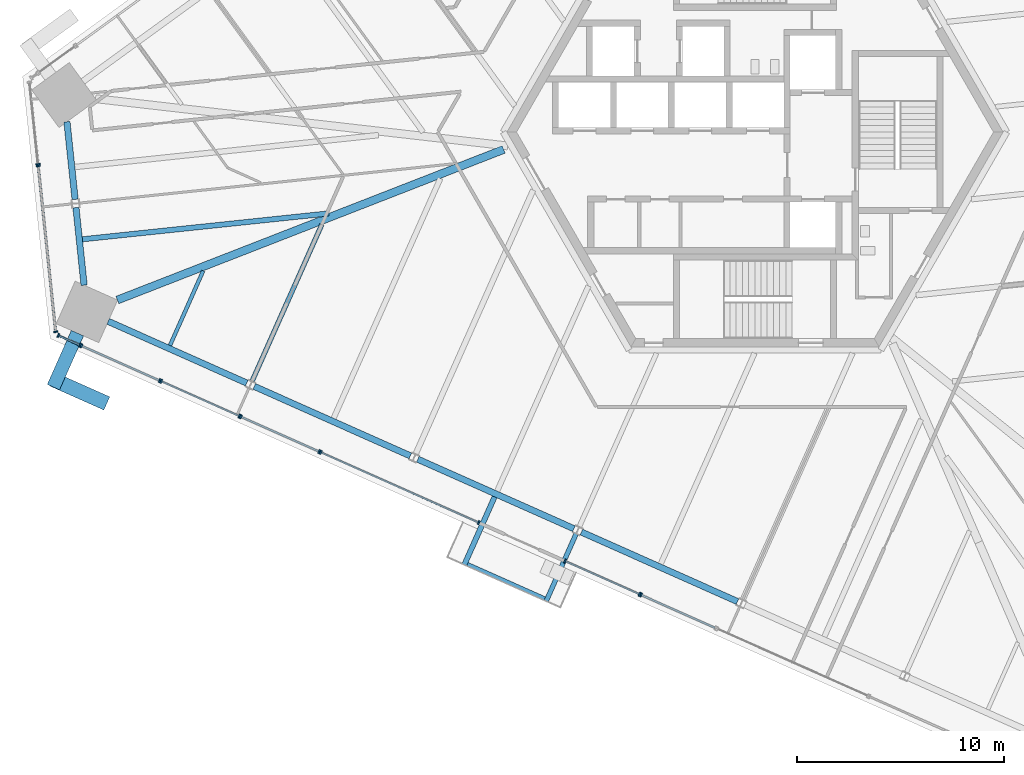
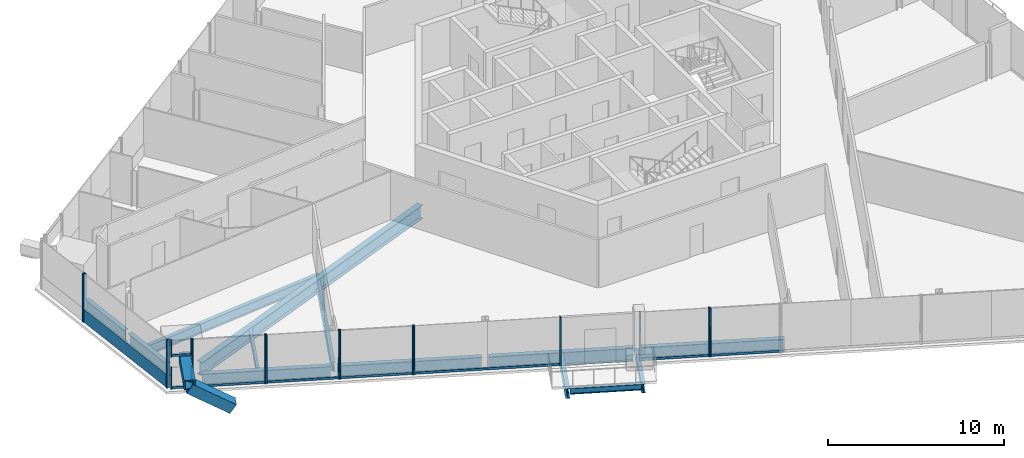
# One storey, part 3 of 25: 29 members, 13 beams, 10 elements without a shape of their own.
"""IFC4 building model written with IfcOpenShell, lengths in metres."""

from ifc_helpers import new_model, si_unit, direction, frame, origin, origin_2d, place, context, subcontext, project, spatial, rectangle, hollow_rectangle, i_section, extrude, source, transform, mapped, material, material_profile, profile_set, type_object, element, aggregate, save


model = new_model("IFC4")

# Units and contexts
model_context = context("Model", 3, precision=1e-05, world=origin(), true_north=direction((0.0, 1.0)))
body_context = subcontext(model_context, "Body", "Model", "MODEL_VIEW")
ifc_project = project(units=[si_unit("LENGTHUNIT", "METRE"), si_unit("AREAUNIT", "SQUARE_METRE"), si_unit("VOLUMEUNIT", "CUBIC_METRE"), si_unit("PLANEANGLEUNIT", "RADIAN"), si_unit("MASSUNIT", "GRAM", prefix="KILO")], contexts=[model_context])

# Site, building, storey
site_placement = place(None, origin())
site = spatial("IfcSite", under=ifc_project, at=site_placement, CompositionType="ELEMENT")
building_placement = place(site_placement, origin())
building = spatial("IfcBuilding", under=site, at=building_placement, Name="Triune Harvest Tower", CompositionType="ELEMENT")
storey_placement = place(building_placement, frame((0.0, 0.0, 90.89990234375)))
storey = spatial("IfcBuildingStorey", under=building, at=storey_placement, Name="L22", CompositionType="ELEMENT", Elevation=90.89990234375)

# Curtain wall, member
ifc_material_1 = material(Name="Aluminium bronze anodised", Category="aluminium")
curtain_wall_type_1 = type_object("IfcCurtainWallType", Name="CW-6 Balcony window wall", PredefinedType="NOTDEFINED", material=ifc_material_1)
curtain_wall_1_placement = place(storey_placement, origin())
curtain_wall_1 = element("IfcCurtainWall", 1, at=curtain_wall_1_placement, inside=storey, type_object=curtain_wall_type_1, Name="CW-6 B2-F5 L22 run 2")
ifc_material_2 = material(Name="Aluminium bronze anodised", Category="aluminium")
ifc_material_profile_1 = material_profile(ifc_material_2, rectangle(XDim=0.090087890625, YDim=0.14990234375, at=origin_2d()), Name="TR-6 transom 90 x 150")
ifc_profile_set_1 = profile_set([ifc_material_profile_1], Name="Aluminium bronze anodised")
member_type_1 = type_object("IfcMemberType", Name="TR-6 transom 90 x 150", PredefinedType="USERDEFINED", material=ifc_profile_set_1)
member_1_placement = place(storey_placement, frame((-9.16357421875, -20.76611328125, 0.0751953125), z_axis=(0.913575271733, -0.406669672926, 0.0), x_axis=(0.406669672926, 0.913575271733, 0.0)))
member_1 = element("IfcMember", 2, at=member_1_placement, type_object=member_type_1, Name="CW-6 transom B2-F5 2.1", ObjectType="TRANSOM", PredefinedType="USERDEFINED", context=body_context, shape_type="SweptSolid", body=[
    extrude(rectangle(XDim=0.090087890625, YDim=0.14990234375, at=origin_2d()), origin(), (0.0, 0.0, 1.0), 3.880126953125),
])

ifc_material_3 = material(Name="Aluminium bronze anodised", Category="aluminium")
curtain_wall_type_2 = type_object("IfcCurtainWallType", Name="CW-10 Balcony window wall with insulated spandrel infill", PredefinedType="NOTDEFINED", material=ifc_material_3)
curtain_wall_2_placement = place(storey_placement, origin())
curtain_wall_2 = element("IfcCurtainWall", 3, at=curtain_wall_2_placement, inside=storey, type_object=curtain_wall_type_2, Name="CW-10 B2-F5 L22 run 1002")
member_2_placement = place(storey_placement, frame((-5.48193359375, -22.405029296875, 0.0751953125), z_axis=(0.913541484058, -0.406745567775, 0.0), x_axis=(0.406745567775, 0.913541484058, 0.0)))
member_2 = element("IfcMember", 4, at=member_2_placement, type_object=member_type_1, Name="CW-10 transom B2-F5 1002.1", ObjectType="TRANSOM", PredefinedType="USERDEFINED", context=body_context, shape_type="SweptSolid", body=[
    extrude(rectangle(XDim=0.090087890625, YDim=0.14990234375, at=origin_2d()), origin(), (0.0, 0.0, 1.0), 3.8798828125),
])

# Beams
ifc_material_4 = material(Name="Steel ASTM A992 Gr 50", Category="steel")
ifc_material_profile_2 = material_profile(ifc_material_4, i_section(OverallWidth=0.3046875, OverallDepth=0.914306640625, WebThickness=0.0166015625, FlangeThickness=0.02587890625, at=origin_2d()), Name="W36x160")
ifc_profile_set_2 = profile_set([ifc_material_profile_2], Name="Steel ASTM A992 Gr 50")
beam_type_1 = type_object("IfcBeamType", Name="SB-1 Spandrel beam W36x160", PredefinedType="SPANDREL", material=ifc_profile_set_2)
shared_shape_1 = source(origin(), body_context, "Body", "SweptSolid", [
    extrude(i_section(OverallWidth=0.3046875, OverallDepth=0.914306640625, WebThickness=0.0166015625, FlangeThickness=0.02587890625, at=origin_2d()), origin(), (0.0, 0.0, 1.0), 7.337890625),
])
beam_1_placement = place(storey_placement, frame((-31.29150390625, -9.156982421875, -0.6171875), z_axis=(0.913558923036, -0.40670639796, 0.0), x_axis=(0.40670639796, 0.913558923036, 0.0)))
element("IfcBeam", 5, at=beam_1_placement, inside=storey, type_object=beam_type_1, Name="beam/L22/SB17", PredefinedType="SPANDREL", context=body_context, shape_type="MappedRepresentation", body=[
    mapped(shared_shape_1, transform((0.0, 0.0, 0.0), scale=1.0)),
])
shared_shape_2 = source(origin(), body_context, "Body", "SweptSolid", [
    extrude(i_section(OverallWidth=0.3046875, OverallDepth=0.914306640625, WebThickness=0.0166015625, FlangeThickness=0.02587890625, at=origin_2d()), origin(), (0.0, 0.0, 1.0), 8.263427734375),
])
for number, where, z_axis, x_axis, name in (
    (6, (-24.2236328125, -12.3037109375, -0.6171875), (0.913544537455, -0.406738709846, 0.0), (0.406738709846, 0.913544537455, 0.0), "beam/L22/SB18"),
    (7, (-16.310302734375, -15.826904296875, -0.6171875), (0.913544537455, -0.406738709846, 0.0), (0.406738709846, 0.913544537455, 0.0), "beam/L22/SB19"),
    (8, (-8.39697265625, -19.35009765625, -0.6171875), (0.913544537455, -0.406738709846, 0.0), (0.406738709846, 0.913544537455, 0.0), "beam/L22/SB20"),
):
    element("IfcBeam", number, at=place(storey_placement, frame(where, z_axis=z_axis, x_axis=x_axis)), inside=storey, type_object=beam_type_1, Name=name, PredefinedType="SPANDREL", context=body_context, shape_type="MappedRepresentation", body=[
        mapped(shared_shape_2, transform((0.0, 0.0, 0.0), scale=1.0)),
    ])
shared_shape_3 = source(origin(), body_context, "Body", "SweptSolid", [
    extrude(i_section(OverallWidth=0.3046875, OverallDepth=0.914306640625, WebThickness=0.0166015625, FlangeThickness=0.02587890625, at=origin_2d()), origin(), (0.0, 0.0, 1.0), 3.775146484375),
])
for number, where, z_axis, x_axis, name in (
    (9, (-33.28564453125, 0.497802734375, -0.6171875), (0.104509725916, -0.994523864565, 0.0), (0.994523864565, 0.104509725916, 0.0), "beam/L22/SB15"),
    (10, (-32.849609375, -3.653076171875, -0.6171875), (0.104573690763, -0.994517140727, 0.0), (0.994517140727, 0.104573690763, 0.0), "beam/L22/SB16"),
):
    element("IfcBeam", number, at=place(storey_placement, frame(where, z_axis=z_axis, x_axis=x_axis)), inside=storey, type_object=beam_type_1, Name=name, PredefinedType="SPANDREL", context=body_context, shape_type="MappedRepresentation", body=[
        mapped(shared_shape_3, transform((0.0, 0.0, 0.0), scale=1.0)),
    ])
ifc_material_5 = material(Name="Steel ASTM A992 Gr 50", Category="steel")
ifc_material_profile_3 = material_profile(ifc_material_5, i_section(OverallWidth=0.383544921875, OverallDepth=0.9423828125, WebThickness=0.022216796875, FlangeThickness=0.039794921875, at=origin_2d()), Name="W36x232")
ifc_profile_set_3 = profile_set([ifc_material_profile_3], Name="Steel ASTM A992 Gr 50")
beam_type_2 = type_object("IfcBeamType", Name="HG-1 Hip girder W36x232", PredefinedType="BEAM", material=ifc_profile_set_3)
shared_shape_4 = source(origin(), body_context, "Body", "SweptSolid", [
    extrude(i_section(OverallWidth=0.383544921875, OverallDepth=0.9423828125, WebThickness=0.022216796875, FlangeThickness=0.039794921875, at=origin_2d()), origin(), (0.0, 0.0, 1.0), 20.054443359375),
])
beam_2_placement = place(storey_placement, frame((-30.84423828125, -8.12451171875, -0.631103515625), z_axis=(0.931737115777, 0.363133511374, 0.0), x_axis=(-0.363133511374, 0.931737115777, 0.0)))
element("IfcBeam", 11, at=beam_2_placement, inside=storey, type_object=beam_type_2, Name="beam/L22/HG6", PredefinedType="BEAM", context=body_context, shape_type="MappedRepresentation", body=[
    mapped(shared_shape_4, transform((0.0, 0.0, 0.0), scale=1.0)),
])
ifc_material_6 = material(Name="Steel ASTM A992 Gr 50", Category="steel")
ifc_material_profile_4 = material_profile(ifc_material_6, i_section(OverallWidth=0.180908203125, OverallDepth=0.41650390625, WebThickness=0.010986328125, FlangeThickness=0.01806640625, at=origin_2d()), Name="W16x57")
ifc_profile_set_4 = profile_set([ifc_material_profile_4], Name="Steel ASTM A992 Gr 50")
beam_type_3 = type_object("IfcBeamType", Name="JT-1 Floor joist W16x57", PredefinedType="JOIST", material=ifc_profile_set_4)
shared_shape_5 = source(origin(), body_context, "Body", "SweptSolid", [
    extrude(i_section(OverallWidth=0.180908203125, OverallDepth=0.41650390625, WebThickness=0.010986328125, FlangeThickness=0.01806640625, at=origin_2d()), origin(), (0.0, 0.0, 1.0), 3.95068359375),
])
beam_3_placement = place(storey_placement, frame((-28.300537109375, -10.32177734375, -0.3681640625), z_axis=(0.406746150359, 0.913541224668, 0.0), x_axis=(-0.913541224668, 0.406746150359, 0.0)))
element("IfcBeam", 12, at=beam_3_placement, inside=storey, type_object=beam_type_3, Name="beam/L22/JT27", PredefinedType="JOIST", context=body_context, shape_type="MappedRepresentation", body=[
    mapped(shared_shape_5, transform((0.0, 0.0, 0.0), scale=1.0)),
])
ifc_material_7 = material(Name="Steel ASTM A992 Gr 50", Category="steel")
ifc_material_profile_5 = material_profile(ifc_material_7, i_section(OverallWidth=0.22900390625, OverallDepth=0.612060546875, WebThickness=0.011962890625, FlangeThickness=0.01953125, at=origin_2d()), Name="W24x84")
ifc_profile_set_5 = profile_set([ifc_material_profile_5], Name="Steel ASTM A992 Gr 50")
beam_type_4 = type_object("IfcBeamType", Name="JT-3 Floor joist W24x84", PredefinedType="JOIST", material=ifc_profile_set_5)
shared_shape_6 = source(origin(), body_context, "Body", "SweptSolid", [
    extrude(i_section(OverallWidth=0.22900390625, OverallDepth=0.612060546875, WebThickness=0.011962890625, FlangeThickness=0.01953125, at=origin_2d()), origin(), (0.0, 0.0, 1.0), 8.28173828125),
])
beam_4_placement = place(storey_placement, frame((-24.32568359375, -12.042724609375, -0.466064453125), z_axis=(0.406731926006, 0.913547557803, 0.0), x_axis=(-0.913547557803, 0.406731926006, 0.0)))
element("IfcBeam", 13, at=beam_4_placement, inside=storey, type_object=beam_type_4, Name="beam/L22/JT28", PredefinedType="JOIST", context=body_context, shape_type="MappedRepresentation", body=[
    mapped(shared_shape_6, transform((0.0, 0.0, 0.0), scale=1.0)),
])
ifc_material_8 = material(Name="Steel ASTM A992 Gr 50", Category="steel")
ifc_material_profile_6 = material_profile(ifc_material_8, i_section(OverallWidth=0.253662109375, OverallDepth=0.683349609375, WebThickness=0.012451171875, FlangeThickness=0.01904296875, at=origin_2d()), Name="W27x94")
ifc_profile_set_6 = profile_set([ifc_material_profile_6], Name="Steel ASTM A992 Gr 50")
beam_type_5 = type_object("IfcBeamType", Name="JT-4 Floor joist W27x94", PredefinedType="JOIST", material=ifc_profile_set_6)
shared_shape_7 = source(origin(), body_context, "Body", "SweptSolid", [
    extrude(i_section(OverallWidth=0.253662109375, OverallDepth=0.683349609375, WebThickness=0.012451171875, FlangeThickness=0.01904296875, at=origin_2d()), origin(), (0.0, 0.0, 1.0), 11.9775390625),
])
beam_5_placement = place(storey_placement, frame((-32.534912109375, -5.18701171875, -0.50146484375), z_axis=(0.994522193593, 0.104525625807, 0.0), x_axis=(-0.104525625807, 0.994522193593, 0.0)))
element("IfcBeam", 14, at=beam_5_placement, inside=storey, type_object=beam_type_5, Name="beam/L22/JT26", PredefinedType="JOIST", context=body_context, shape_type="MappedRepresentation", body=[
    mapped(shared_shape_7, transform((0.0, 0.0, 0.0), scale=1.0)),
])

# Members
ifc_material_9 = material(Name="Steel ASTM A572 Gr 50", Category="steel")
ifc_material_profile_7 = material_profile(ifc_material_9, hollow_rectangle(XDim=0.699951171875, YDim=0.699951171875, WallThickness=0.0400390625, at=origin_2d()), Name="Box 700x700x40")
ifc_profile_set_7 = profile_set([ifc_material_profile_7], Name="Steel ASTM A572 Gr 50")
member_type_2 = type_object("IfcMemberType", Name="BR-1 Brace Box 700x700x40", PredefinedType="BRACE", material=ifc_profile_set_7)
shared_shape_8 = source(origin(), body_context, "Body", "SweptSolid", [
    extrude(hollow_rectangle(XDim=0.699951171875, YDim=0.699951171875, WallThickness=0.0400390625, at=origin_2d()), origin(), (0.0, 0.0, 1.0), 2.953125),
])
member_3_placement = place(storey_placement, frame((-31.5302734375, -13.0517578125, 0.0), z_axis=(-0.770581804607, 0.343087060307, 0.537117260437), x_axis=(-0.406738559064, -0.913544604587, 0.0)))
element("IfcMember", 15, at=member_3_placement, inside=storey, type_object=member_type_2, Name="brace/B2-F5/d2/10", PredefinedType="BRACE", context=body_context, shape_type="MappedRepresentation", body=[
    mapped(shared_shape_8, transform((0.0, 0.0, 0.0), scale=1.0)),
])
ifc_material_10 = material(Name="Steel ASTM A572 Gr 50", Category="steel")
ifc_material_profile_8 = material_profile(ifc_material_10, hollow_rectangle(XDim=0.64990234375, YDim=0.64990234375, WallThickness=0.070068359375, at=origin_2d()), Name="Box 650x650x70")
ifc_profile_set_8 = profile_set([ifc_material_profile_8], Name="Steel ASTM A572 Gr 50")
member_type_3 = type_object("IfcMemberType", Name="BS-1 Brace stub Box 650x650x70", PredefinedType="STRUT", material=ifc_profile_set_8)
shared_shape_9 = source(origin(), body_context, "Body", "SweptSolid", [
    extrude(hollow_rectangle(XDim=0.64990234375, YDim=0.64990234375, WallThickness=0.070068359375, at=origin_2d()), origin(), (0.0, 0.0, 1.0), 2.8603515625),
])
member_4_placement = place(storey_placement, frame((-32.776611328125, -9.72705078125, 1.85009765625), z_axis=(-0.406787742816, -0.91352270486, 0.0), x_axis=(0.91352270486, -0.406787742816, 0.0)))
element("IfcMember", 16, at=member_4_placement, inside=storey, type_object=member_type_3, Name="brace/B2-F5/stub4", PredefinedType="STRUT", context=body_context, shape_type="MappedRepresentation", body=[
    mapped(shared_shape_9, transform((0.0, 0.0, 0.0), scale=1.0)),
])

# Beams
ifc_material_11 = material(Name="Steel ASTM A992 Gr 50", Category="steel")
ifc_material_profile_9 = material_profile(ifc_material_11, i_section(OverallWidth=0.22900390625, OverallDepth=0.612060546875, WebThickness=0.011962890625, FlangeThickness=0.01953125, at=origin_2d()), Name="W24x84")
ifc_profile_set_9 = profile_set([ifc_material_profile_9], Name="Steel ASTM A992 Gr 50")
beam_type_6 = type_object("IfcBeamType", Name="BJ-3 Balcony cantilever joist W24x84", PredefinedType="JOIST", material=ifc_profile_set_9)
shared_shape_10 = source(origin(), body_context, "Body", "SweptSolid", [
    extrude(i_section(OverallWidth=0.22900390625, OverallDepth=0.612060546875, WebThickness=0.011962890625, FlangeThickness=0.01953125, at=origin_2d()), origin(), (0.0, 0.0, 1.0), 3.597412109375),
])
beam_6_placement = place(storey_placement, frame((-8.64111328125, -19.408203125, -0.466064453125), z_axis=(-0.406780631062, -0.91352587166, 0.0), x_axis=(0.91352587166, -0.406780631062, 0.0)))
element("IfcBeam", 17, at=beam_6_placement, inside=storey, type_object=beam_type_6, Name="Balcony cantilever joist B2-F5 L22.6b", PredefinedType="JOIST", context=body_context, shape_type="MappedRepresentation", body=[
    mapped(shared_shape_10, transform((0.0, 0.0, 0.0), scale=1.0)),
])
ifc_material_12 = material(Name="Steel ASTM A992 Gr 50", Category="steel")
ifc_material_profile_10 = material_profile(ifc_material_12, i_section(OverallWidth=0.253662109375, OverallDepth=0.683349609375, WebThickness=0.012451171875, FlangeThickness=0.01904296875, at=origin_2d()), Name="W27x94")
ifc_profile_set_10 = profile_set([ifc_material_profile_10], Name="Steel ASTM A992 Gr 50")
beam_type_7 = type_object("IfcBeamType", Name="BJ-4 Balcony cantilever joist W27x94", PredefinedType="JOIST", material=ifc_profile_set_10)
shared_shape_11 = source(origin(), body_context, "Body", "SweptSolid", [
    extrude(i_section(OverallWidth=0.253662109375, OverallDepth=0.683349609375, WebThickness=0.012451171875, FlangeThickness=0.01904296875, at=origin_2d()), origin(), (0.0, 0.0, 1.0), 3.597412109375),
])
beam_7_placement = place(storey_placement, frame((-12.597900390625, -17.646728515625, -0.50146484375), z_axis=(-0.406723993675, -0.913551089414, 0.0), x_axis=(0.913551089414, -0.406723993675, 0.0)))
element("IfcBeam", 18, at=beam_7_placement, inside=storey, type_object=beam_type_7, Name="Balcony cantilever joist B2-F5 L22.6a", PredefinedType="JOIST", context=body_context, shape_type="MappedRepresentation", body=[
    mapped(shared_shape_11, transform((0.0, 0.0, 0.0), scale=1.0)),
])
ifc_material_13 = material(Name="Steel ASTM A992 Gr 50", Category="steel")
ifc_material_profile_11 = material_profile(ifc_material_13, i_section(OverallWidth=0.180908203125, OverallDepth=0.41650390625, WebThickness=0.010986328125, FlangeThickness=0.01806640625, at=origin_2d()), Name="W16x57")
ifc_profile_set_11 = profile_set([ifc_material_profile_11], Name="Steel ASTM A992 Gr 50")
beam_type_8 = type_object("IfcBeamType", Name="BE-1 balcony edge beam W16x57", PredefinedType="BEAM", material=ifc_profile_set_11)
shared_shape_12 = source(origin(), body_context, "Body", "SweptSolid", [
    extrude(i_section(OverallWidth=0.180908203125, OverallDepth=0.41650390625, WebThickness=0.010986328125, FlangeThickness=0.01806640625, at=origin_2d()), origin(), (0.0, 0.0, 1.0), 4.08935546875),
])
beam_8_placement = place(storey_placement, frame((-13.908203125, -20.902099609375, -0.3681640625), z_axis=(0.91354300289, -0.406742156495, 0.0), x_axis=(0.406742156495, 0.91354300289, 0.0)))
element("IfcBeam", 19, at=beam_8_placement, inside=storey, type_object=beam_type_8, Name="Balcony edge beam B2-F5 L22.6", PredefinedType="BEAM", context=body_context, shape_type="MappedRepresentation", body=[
    mapped(shared_shape_12, transform((0.0, 0.0, 0.0), scale=1.0)),
])

# Curtain wall, member
ifc_material_14 = material(Name="Aluminium bronze anodised", Category="aluminium")
curtain_wall_type_3 = type_object("IfcCurtainWallType", Name="CW-7 Tower stick curtain wall with insulated spandrel infill", PredefinedType="NOTDEFINED", material=ifc_material_14)
curtain_wall_3_placement = place(storey_placement, origin())
curtain_wall_3 = element("IfcCurtainWall", 20, at=curtain_wall_3_placement, inside=storey, type_object=curtain_wall_type_3, Name="CW-7 B2-F4 L22 run 1001")
ifc_material_15 = material(Name="Aluminium bronze anodised", Category="aluminium")
ifc_material_profile_12 = material_profile(ifc_material_15, rectangle(XDim=0.090087890625, YDim=0.89990234375, at=origin_2d()), Name="TR-1 transom 90 x 900")
ifc_profile_set_12 = profile_set([ifc_material_profile_12], Name="Aluminium bronze anodised")
member_type_4 = type_object("IfcMemberType", Name="TR-1 transom 90 x 900", PredefinedType="USERDEFINED", material=ifc_profile_set_12)
shared_shape_13 = source(origin(), body_context, "Body", "SweptSolid", [
    extrude(rectangle(XDim=0.090087890625, YDim=0.89990234375, at=origin_2d()), origin(), (0.0, 0.0, 1.0), 7.996826171875),
])
member_5_placement = place(storey_placement, frame((-34.671875, -1.671630859375, 0.4501953125), z_axis=(0.104532220578, -0.994521500452, 0.0), x_axis=(0.994521500452, 0.104532220578, 0.0)))
member_5 = element("IfcMember", 21, at=member_5_placement, type_object=member_type_4, Name="CW-7 transom B2-F4 1001.1", ObjectType="TRANSOM", PredefinedType="USERDEFINED", context=body_context, shape_type="MappedRepresentation", body=[
    mapped(shared_shape_13, transform((0.0, 0.0, 0.0), scale=1.0)),
])

# Curtain wall, members
curtain_wall_4_placement = place(storey_placement, origin())
curtain_wall_4 = element("IfcCurtainWall", 22, at=curtain_wall_4_placement, inside=storey, type_object=curtain_wall_type_1, Name="CW-6 B2-F5 L22 run 1")
ifc_material_16 = material(Name="Aluminium bronze anodised", Category="aluminium")
ifc_material_profile_13 = material_profile(ifc_material_16, rectangle(XDim=0.199951171875, YDim=0.074951171875, at=origin_2d()), Name="MU-6 mullion 75 x 200")
ifc_profile_set_13 = profile_set([ifc_material_profile_13], Name="Aluminium bronze anodised")
member_type_5 = type_object("IfcMemberType", Name="MU-6 mullion 75 x 200", PredefinedType="MULLION", material=ifc_profile_set_13)
shared_shape_14 = source(origin(), body_context, "Body", "SweptSolid", [
    extrude(rectangle(XDim=0.199951171875, YDim=0.074951171875, at=origin_2d()), origin(), (0.0, 0.0, 1.0), 1.465087890625),
])
member_6_placement = place(storey_placement, frame((-33.7021484375, -9.840576171875, 0.0), z_axis=(0.0, 0.0, 1.0), x_axis=(0.406723161408, 0.913551459949, 0.0)))
member_6 = element("IfcMember", 23, at=member_6_placement, type_object=member_type_5, Name="CW-6 mullion B2-F5 1.1", PredefinedType="MULLION", context=body_context, shape_type="MappedRepresentation", body=[
    mapped(shared_shape_14, transform((0.0, 0.0, 0.0), scale=1.0)),
])
member_7_placement = place(storey_placement, frame((-32.654541015625, -10.30712890625, 0.0), z_axis=(0.0, 0.0, 1.0), x_axis=(0.406723161408, 0.913551459949, 0.0)))
member_7 = element("IfcMember", 24, at=member_7_placement, type_object=member_type_5, Name="CW-6 mullion B2-F5 1.2", PredefinedType="MULLION", context=body_context, shape_type="MappedRepresentation", body=[
    mapped(shared_shape_14, transform((0.0, 0.0, 0.0), scale=1.0)),
])
shared_shape_15 = source(origin(), body_context, "Body", "SweptSolid", [
    extrude(rectangle(XDim=0.090087890625, YDim=0.14990234375, at=origin_2d()), origin(), (0.0, 0.0, 1.0), 1.07177734375),
])
member_8_placement = place(storey_placement, frame((-33.66796875, -9.85595703125, 0.0751953125), z_axis=(0.913614190522, -0.406582231384, 0.0), x_axis=(0.406582231384, 0.913614190522, 0.0)))
member_8 = element("IfcMember", 25, at=member_8_placement, type_object=member_type_1, Name="CW-6 transom B2-F5 1.1", ObjectType="TRANSOM", PredefinedType="USERDEFINED", context=body_context, shape_type="MappedRepresentation", body=[
    mapped(shared_shape_15, transform((0.0, 0.0, 0.0), scale=1.0)),
])
aggregate(curtain_wall_4, [member_6, member_7, member_8])

curtain_wall_5_placement = place(storey_placement, origin())
curtain_wall_5 = element("IfcCurtainWall", 26, at=curtain_wall_5_placement, inside=storey, type_object=curtain_wall_type_1, Name="CW-6 B2-F5 L22 run 101")
member_9_placement = place(storey_placement, frame((-33.66796875, -9.85595703125, 2.31005859375), z_axis=(0.913614190522, -0.406582231384, 0.0), x_axis=(0.406582231384, 0.913614190522, 0.0)))
member_9 = element("IfcMember", 27, at=member_9_placement, type_object=member_type_1, Name="CW-6 transom B2-F5 101.1", ObjectType="TRANSOM", PredefinedType="USERDEFINED", context=body_context, shape_type="MappedRepresentation", body=[
    mapped(shared_shape_15, transform((0.0, 0.0, 0.0), scale=1.0)),
])
shared_shape_16 = source(origin(), body_context, "Body", "SweptSolid", [
    extrude(rectangle(XDim=0.199951171875, YDim=0.074951171875, at=origin_2d()), origin(), (0.0, 0.0, 1.0), 1.114990234375),
])
member_10_placement = place(storey_placement, frame((-33.7021484375, -9.840576171875, 2.235107421875), z_axis=(0.0, 0.0, 1.0), x_axis=(0.406723161408, 0.913551459949, 0.0)))
member_10 = element("IfcMember", 28, at=member_10_placement, type_object=member_type_5, Name="CW-6 mullion B2-F5 101.1", PredefinedType="MULLION", context=body_context, shape_type="MappedRepresentation", body=[
    mapped(shared_shape_16, transform((0.0, 0.0, 0.0), scale=1.0)),
])
member_11_placement = place(storey_placement, frame((-32.654541015625, -10.30712890625, 2.235107421875), z_axis=(0.0, 0.0, 1.0), x_axis=(0.406723161408, 0.913551459949, 0.0)))
member_11 = element("IfcMember", 29, at=member_11_placement, type_object=member_type_5, Name="CW-6 mullion B2-F5 101.2", PredefinedType="MULLION", context=body_context, shape_type="MappedRepresentation", body=[
    mapped(shared_shape_16, transform((0.0, 0.0, 0.0), scale=1.0)),
])
aggregate(curtain_wall_5, [member_10, member_11, member_9])

curtain_wall_6_placement = place(storey_placement, origin())
curtain_wall_6 = element("IfcCurtainWall", 30, at=curtain_wall_6_placement, inside=storey, type_object=curtain_wall_type_2, Name="CW-10 B2-F5 L22 run 201")
shared_shape_17 = source(origin(), body_context, "Body", "SweptSolid", [
    extrude(rectangle(XDim=0.199951171875, YDim=0.074951171875, at=origin_2d()), origin(), (0.0, 0.0, 1.0), 3.35009765625),
])
member_12_placement = place(storey_placement, frame((-32.5859375, -10.337646484375, 0.0), z_axis=(0.0, 0.0, 1.0), x_axis=(0.406749133974, 0.913539896234, 0.0)))
member_12 = element("IfcMember", 31, at=member_12_placement, type_object=member_type_5, Name="CW-10 mullion B2-F5 201.1", PredefinedType="MULLION", context=body_context, shape_type="MappedRepresentation", body=[
    mapped(shared_shape_17, transform((0.0, 0.0, 0.0), scale=1.0)),
])
member_13_placement = place(storey_placement, frame((-28.79638671875, -12.02490234375, 0.0), z_axis=(0.0, 0.0, 1.0), x_axis=(0.406749133974, 0.913539896234, 0.0)))
member_13 = element("IfcMember", 32, at=member_13_placement, type_object=member_type_5, Name="CW-10 mullion B2-F5 201.2", PredefinedType="MULLION", context=body_context, shape_type="MappedRepresentation", body=[
    mapped(shared_shape_17, transform((0.0, 0.0, 0.0), scale=1.0)),
])

curtain_wall_7_placement = place(storey_placement, origin())
curtain_wall_7 = element("IfcCurtainWall", 33, at=curtain_wall_7_placement, inside=storey, type_object=curtain_wall_type_1, Name="CW-6 B2-F5 L22 run 1201")
member_14_placement = place(storey_placement, frame((-28.72802734375, -12.055419921875, 0.0), z_axis=(0.0, 0.0, 1.0), x_axis=(0.406729372667, 0.913548694603, 0.0)))
member_14 = element("IfcMember", 34, at=member_14_placement, type_object=member_type_5, Name="CW-6 mullion B2-F5 1201.1", PredefinedType="MULLION", context=body_context, shape_type="MappedRepresentation", body=[
    mapped(shared_shape_17, transform((0.0, 0.0, 0.0), scale=1.0)),
])
member_15_placement = place(storey_placement, frame((-24.9384765625, -13.742431640625, 0.0), z_axis=(0.0, 0.0, 1.0), x_axis=(0.406729372667, 0.913548694603, 0.0)))
member_15 = element("IfcMember", 35, at=member_15_placement, type_object=member_type_5, Name="CW-6 mullion B2-F5 1201.2", PredefinedType="MULLION", context=body_context, shape_type="MappedRepresentation", body=[
    mapped(shared_shape_17, transform((0.0, 0.0, 0.0), scale=1.0)),
])

curtain_wall_8_placement = place(storey_placement, origin())
curtain_wall_8 = element("IfcCurtainWall", 36, at=curtain_wall_8_placement, inside=storey, type_object=curtain_wall_type_2, Name="CW-10 B2-F5 L22 run 2201")
member_16_placement = place(storey_placement, frame((-24.869873046875, -13.77294921875, 0.0), z_axis=(0.0, 0.0, 1.0), x_axis=(0.406740335646, 0.913543813595, 0.0)))
member_16 = element("IfcMember", 37, at=member_16_placement, type_object=member_type_5, Name="CW-10 mullion B2-F5 2201.1", PredefinedType="MULLION", context=body_context, shape_type="MappedRepresentation", body=[
    mapped(shared_shape_17, transform((0.0, 0.0, 0.0), scale=1.0)),
])
member_17_placement = place(storey_placement, frame((-21.080078125, -15.46044921875, 0.0), z_axis=(0.0, 0.0, 1.0), x_axis=(0.406740335646, 0.913543813595, 0.0)))
member_17 = element("IfcMember", 38, at=member_17_placement, type_object=member_type_5, Name="CW-10 mullion B2-F5 2201.2", PredefinedType="MULLION", context=body_context, shape_type="MappedRepresentation", body=[
    mapped(shared_shape_17, transform((0.0, 0.0, 0.0), scale=1.0)),
])

curtain_wall_9_placement = place(storey_placement, origin())
curtain_wall_9 = element("IfcCurtainWall", 39, at=curtain_wall_9_placement, inside=storey, type_object=curtain_wall_type_1, Name="CW-6 B2-F5 L22 run 3201")
member_18_placement = place(storey_placement, frame((-21.01171875, -15.490966796875, 0.0), z_axis=(0.0, 0.0, 1.0), x_axis=(0.406739253392, 0.913544295451, 0.0)))
member_18 = element("IfcMember", 40, at=member_18_placement, type_object=member_type_5, Name="CW-6 mullion B2-F5 3201.1", PredefinedType="MULLION", context=body_context, shape_type="MappedRepresentation", body=[
    mapped(shared_shape_17, transform((0.0, 0.0, 0.0), scale=1.0)),
])
member_19_placement = place(storey_placement, frame((-13.364013671875, -18.895751953125, 0.0), z_axis=(0.0, 0.0, 1.0), x_axis=(0.406739253392, 0.913544295451, 0.0)))
member_19 = element("IfcMember", 41, at=member_19_placement, type_object=member_type_5, Name="CW-6 mullion B2-F5 3201.3", PredefinedType="MULLION", context=body_context, shape_type="MappedRepresentation", body=[
    mapped(shared_shape_17, transform((0.0, 0.0, 0.0), scale=1.0)),
])

# Member
member_20_placement = place(storey_placement, frame((-9.19775390625, -20.750732421875, 0.0), z_axis=(0.0, 0.0, 1.0), x_axis=(0.406734695374, 0.913546324813, 0.0)))
member_20 = element("IfcMember", 42, at=member_20_placement, type_object=member_type_5, Name="CW-6 mullion B2-F5 2.1", PredefinedType="MULLION", context=body_context, shape_type="MappedRepresentation", body=[
    mapped(shared_shape_17, transform((0.0, 0.0, 0.0), scale=1.0)),
])

member_21_placement = place(storey_placement, frame((-5.584716796875, -22.359375, 0.0), z_axis=(0.0, 0.0, 1.0), x_axis=(0.406734695374, 0.913546324813, 0.0)))
member_21 = element("IfcMember", 43, at=member_21_placement, type_object=member_type_5, Name="CW-6 mullion B2-F5 2.2", PredefinedType="MULLION", context=body_context, shape_type="MappedRepresentation", body=[
    mapped(shared_shape_17, transform((0.0, 0.0, 0.0), scale=1.0)),
])

aggregate(curtain_wall_1, [member_20, member_21, member_1])

member_22_placement = place(storey_placement, frame((-5.516357421875, -22.389892578125, 0.0), z_axis=(0.0, 0.0, 1.0), x_axis=(0.406734695374, 0.913546324813, 0.0)))
member_22 = element("IfcMember", 44, at=member_22_placement, type_object=member_type_5, Name="CW-10 mullion B2-F5 1002.1", PredefinedType="MULLION", context=body_context, shape_type="MappedRepresentation", body=[
    mapped(shared_shape_17, transform((0.0, 0.0, 0.0), scale=1.0)),
])

aggregate(curtain_wall_2, [member_22, member_2])

shared_shape_18 = source(origin(), body_context, "Body", "SweptSolid", [
    extrude(rectangle(XDim=0.090087890625, YDim=0.14990234375, at=origin_2d()), origin(), (0.0, 0.0, 1.0), 4.0732421875),
])
member_23_placement = place(storey_placement, frame((-24.835693359375, -13.788330078125, 0.0751953125), z_axis=(0.91354936881, -0.406727858335, 0.0), x_axis=(0.406727858335, 0.91354936881, 0.0)))
member_23 = element("IfcMember", 45, at=member_23_placement, type_object=member_type_1, Name="CW-10 transom B2-F5 2201.1", ObjectType="TRANSOM", PredefinedType="USERDEFINED", context=body_context, shape_type="MappedRepresentation", body=[
    mapped(shared_shape_18, transform((0.0, 0.0, 0.0), scale=1.0)),
])

aggregate(curtain_wall_8, [member_16, member_17, member_23])

shared_shape_19 = source(origin(), body_context, "Body", "SweptSolid", [
    extrude(rectangle(XDim=0.090087890625, YDim=0.14990234375, at=origin_2d()), origin(), (0.0, 0.0, 1.0), 4.072998046875),
])
member_24_placement = place(storey_placement, frame((-32.5517578125, -10.352783203125, 0.0751953125), z_axis=(0.913539452878, -0.406750129731, 0.0), x_axis=(0.406750129731, 0.913539452878, 0.0)))
member_24 = element("IfcMember", 46, at=member_24_placement, type_object=member_type_1, Name="CW-10 transom B2-F5 201.1", ObjectType="TRANSOM", PredefinedType="USERDEFINED", context=body_context, shape_type="MappedRepresentation", body=[
    mapped(shared_shape_19, transform((0.0, 0.0, 0.0), scale=1.0)),
])

aggregate(curtain_wall_6, [member_12, member_13, member_24])

member_25_placement = place(storey_placement, frame((-28.693603515625, -12.070556640625, 0.0751953125), z_axis=(0.913539452878, -0.406750129731, 0.0), x_axis=(0.406750129731, 0.913539452878, 0.0)))
member_25 = element("IfcMember", 47, at=member_25_placement, type_object=member_type_1, Name="CW-6 transom B2-F5 1201.1", ObjectType="TRANSOM", PredefinedType="USERDEFINED", context=body_context, shape_type="MappedRepresentation", body=[
    mapped(shared_shape_19, transform((0.0, 0.0, 0.0), scale=1.0)),
])

aggregate(curtain_wall_7, [member_14, member_15, member_25])

shared_shape_20 = source(origin(), body_context, "Body", "SweptSolid", [
    extrude(rectangle(XDim=0.090087890625, YDim=0.14990234375, at=origin_2d()), origin(), (0.0, 0.0, 1.0), 8.29638671875),
])
member_26_placement = place(storey_placement, frame((-20.977294921875, -15.506103515625, 0.0751953125), z_axis=(0.913541951025, -0.406744518975, 0.0), x_axis=(0.406744518975, 0.913541951025, 0.0)))
member_26 = element("IfcMember", 48, at=member_26_placement, type_object=member_type_1, Name="CW-6 transom B2-F5 3201.1", ObjectType="TRANSOM", PredefinedType="USERDEFINED", context=body_context, shape_type="MappedRepresentation", body=[
    mapped(shared_shape_20, transform((0.0, 0.0, 0.0), scale=1.0)),
])

aggregate(curtain_wall_9, [member_18, member_19, member_26])

# Curtain wall, member
ifc_material_17 = material(Name="Aluminium bronze anodised", Category="aluminium")
curtain_wall_type_4 = type_object("IfcCurtainWallType", Name="CW-1 Tower stick curtain wall", PredefinedType="NOTDEFINED", material=ifc_material_17)
curtain_wall_10_placement = place(storey_placement, origin())
curtain_wall_10 = element("IfcCurtainWall", 49, at=curtain_wall_10_placement, inside=storey, type_object=curtain_wall_type_4, Name="CW-1 B2-F4 L22 run 1")
ifc_material_18 = material(Name="Aluminium bronze anodised", Category="aluminium")
ifc_material_profile_14 = material_profile(ifc_material_18, rectangle(XDim=0.199951171875, YDim=0.074951171875, at=origin_2d()), Name="MU-1 mullion 75 x 200")
ifc_profile_set_14 = profile_set([ifc_material_profile_14], Name="Aluminium bronze anodised")
member_type_6 = type_object("IfcMemberType", Name="MU-1 mullion 75 x 200", PredefinedType="MULLION", material=ifc_profile_set_14)
shared_shape_21 = source(origin(), body_context, "Body", "SweptSolid", [
    extrude(rectangle(XDim=0.199951171875, YDim=0.074951171875, at=origin_2d()), origin(), (0.0, 0.0, 1.0), 3.35009765625),
])
member_27_placement = place(storey_placement, frame((-34.68359375, -1.559814453125, 0.0), z_axis=(0.0, 0.0, 1.0), x_axis=(0.994521759788, 0.104529753221, 0.0)))
member_27 = element("IfcMember", 50, at=member_27_placement, type_object=member_type_6, Name="CW-1 mullion B2-F4 1.2", PredefinedType="MULLION", context=body_context, shape_type="MappedRepresentation", body=[
    mapped(shared_shape_21, transform((0.0, 0.0, 0.0), scale=1.0)),
])
aggregate(curtain_wall_10, [member_27])

# Member
member_28_placement = place(storey_placement, frame((-34.67578125, -1.63427734375, 0.0), z_axis=(0.0, 0.0, 1.0), x_axis=(0.994521805605, 0.1045293173, 0.0)))
member_28 = element("IfcMember", 51, at=member_28_placement, type_object=member_type_6, Name="CW-7 mullion B2-F4 1001.1", PredefinedType="MULLION", context=body_context, shape_type="MappedRepresentation", body=[
    mapped(shared_shape_21, transform((0.0, 0.0, 0.0), scale=1.0)),
])

member_29_placement = place(storey_placement, frame((-33.83203125, -9.662109375, 0.0), z_axis=(0.0, 0.0, 1.0), x_axis=(0.994521805605, 0.1045293173, 0.0)))
member_29 = element("IfcMember", 52, at=member_29_placement, type_object=member_type_6, Name="CW-7 mullion B2-F4 1001.3", PredefinedType="MULLION", context=body_context, shape_type="MappedRepresentation", body=[
    mapped(shared_shape_21, transform((0.0, 0.0, 0.0), scale=1.0)),
])

aggregate(curtain_wall_3, [member_28, member_29, member_5])

save(model, "model.ifc")
